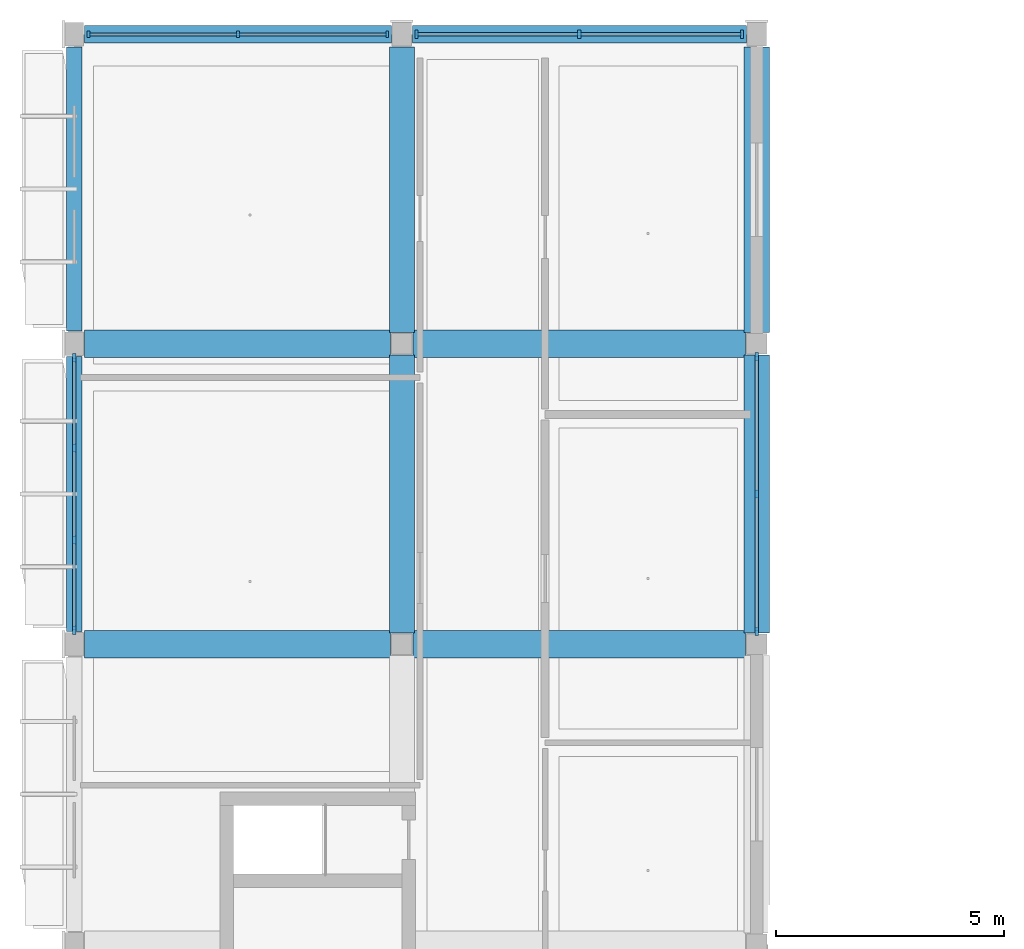
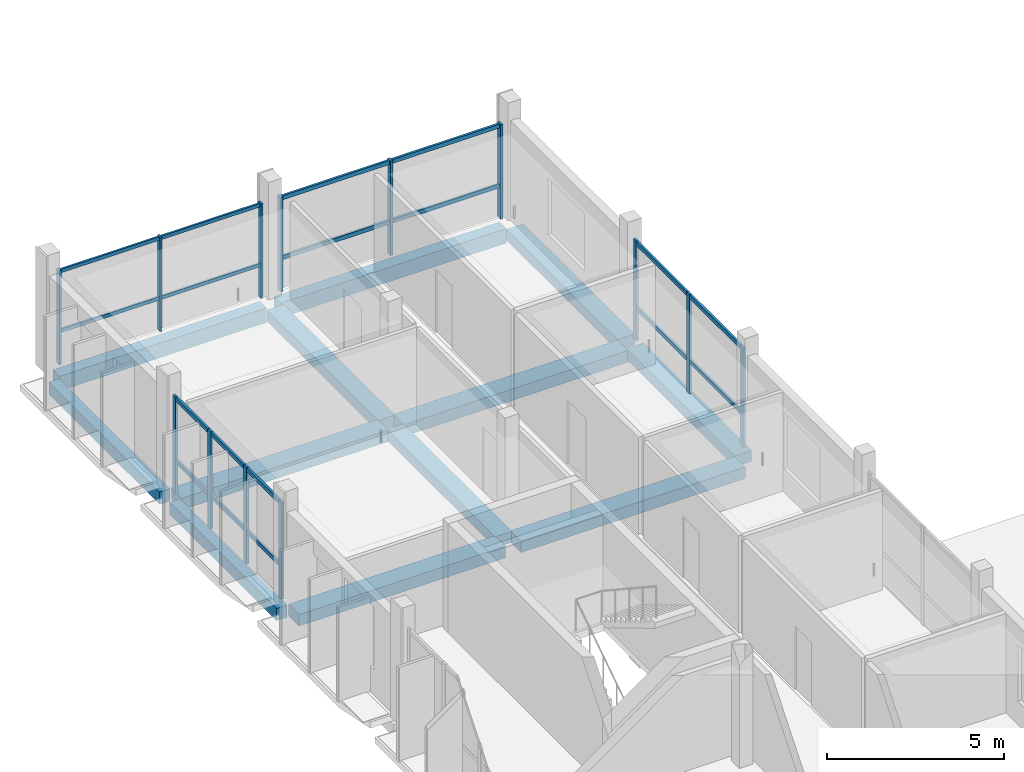
# One storey, part 15 of 86: 21 members, 12 beams, 4 elements without a shape of their own.
"""IFC4 building model written with IfcOpenShell, lengths in metres."""

from ifc_helpers import new_model, si_unit, derived_unit, direction, frame, origin, origin_2d, place, context, subcontext, project, spatial, rectangle, extrude, material, material_profile, profile_set, type_object, element, aggregate, save


model = new_model("IFC4")

# Units and contexts
model_context = context("Model", 3, precision=1e-05, world=origin(), true_north=direction((0.0, 1.0)))
body_context = subcontext(model_context, "Body", "Model", "MODEL_VIEW")
ifc_project = project(units=[si_unit("LENGTHUNIT", "METRE"), si_unit("AREAUNIT", "SQUARE_METRE"), si_unit("VOLUMEUNIT", "CUBIC_METRE"), si_unit("PLANEANGLEUNIT", "RADIAN"), si_unit("MASSUNIT", "GRAM", prefix="KILO"), derived_unit("THERMALTRANSMITTANCEUNIT", [(si_unit("POWERUNIT", "WATT"), 1), (si_unit("LENGTHUNIT", "METRE"), -2), (si_unit("THERMODYNAMICTEMPERATUREUNIT", "KELVIN"), -1)])], contexts=[model_context])

# Site, building, storey
site_placement = place(None, origin())
site = spatial("IfcSite", under=ifc_project, at=site_placement, CompositionType="ELEMENT")
building_placement = place(site_placement, origin())
building = spatial("IfcBuilding", under=site, at=building_placement, Name="Braskholm Square Health Centre", CompositionType="ELEMENT")
storey_placement = place(building_placement, frame((0.0, 0.0, 13.5)))
storey = spatial("IfcBuildingStorey", under=building, at=storey_placement, Name="L04", CompositionType="ELEMENT", Elevation=13.5)

# Curtain wall, members
ifc_material_1 = material(Name="Low-E triple insulating glass (VLT 0.64)", Category="glass")
curtain_wall_type = type_object("IfcCurtainWallType", Name="UnitisedCurtainWall6200x3650", PredefinedType="NOTDEFINED", material=ifc_material_1)
curtain_wall_1_placement = place(storey_placement, origin())
curtain_wall_1 = element("IfcCurtainWall", 1, at=curtain_wall_1_placement, inside=storey, type_object=curtain_wall_type, Name="Wing End unitised curtain wall CW-L04-0156", PredefinedType="NOTDEFINED")
ifc_material_2 = material(Name="Architectural bronze anodised aluminium", Category="aluminium")
ifc_material_profile_1 = material_profile(ifc_material_2, rectangle(XDim=0.06494140625, YDim=0.14990234375, at=origin_2d()), Name="ALU-65X150")
ifc_profile_set_1 = profile_set([ifc_material_profile_1], Name="Architectural bronze anodised aluminium")
member_type_1 = type_object("IfcMemberType", Name="CurtainWallMullion65x150", PredefinedType="MULLION", material=ifc_profile_set_1)
member_1_placement = place(storey_placement, frame((11.080078125, 113.800048828125, 0.0), z_axis=(0.0, 0.0, 1.0), x_axis=(1.0, 0.0, 0.0)))
member_1 = element("IfcMember", 2, at=member_1_placement, type_object=member_type_1, Name="CW-L04-0156 vertical mullion 1", PredefinedType="MULLION", context=body_context, shape_type="SweptSolid", body=[
    extrude(rectangle(XDim=0.06494140625, YDim=0.14990234375, at=origin_2d()), origin(), (0.0, 0.0, 1.0), 3.25),
])
member_2_placement = place(storey_placement, frame((7.800048828125, 113.800048828125, 0.0), z_axis=(0.0, 0.0, 1.0), x_axis=(1.0, 0.0, 0.0)))
member_2 = element("IfcMember", 3, at=member_2_placement, type_object=member_type_1, Name="CW-L04-0156 vertical mullion 2", PredefinedType="MULLION", context=body_context, shape_type="SweptSolid", body=[
    extrude(rectangle(XDim=0.06494140625, YDim=0.14990234375, at=origin_2d()), origin(), (0.0, 0.0, 1.0), 3.25),
])
member_3_placement = place(storey_placement, frame((4.519775390625, 113.800048828125, 0.0), z_axis=(0.0, 0.0, 1.0), x_axis=(1.0, 0.0, 0.0)))
member_3 = element("IfcMember", 4, at=member_3_placement, type_object=member_type_1, Name="CW-L04-0156 vertical mullion 3", PredefinedType="MULLION", context=body_context, shape_type="SweptSolid", body=[
    extrude(rectangle(XDim=0.06494140625, YDim=0.14990234375, at=origin_2d()), origin(), (0.0, 0.0, 1.0), 3.25),
])

curtain_wall_2_placement = place(storey_placement, origin())
curtain_wall_2 = element("IfcCurtainWall", 5, at=curtain_wall_2_placement, inside=storey, type_object=curtain_wall_type, Name="West Outer unitised curtain wall CW-L04-0029", PredefinedType="NOTDEFINED")
ifc_material_profile_2 = material_profile(ifc_material_2, rectangle(XDim=0.074951171875, YDim=0.179931640625, at=origin_2d()), Name="ALU-75X180")
ifc_profile_set_2 = profile_set([ifc_material_profile_2], Name="Architectural bronze anodised aluminium")
member_type_2 = type_object("IfcMemberType", Name="CurtainWallMullion75x180", PredefinedType="MULLION", material=ifc_profile_set_2)
member_4_placement = place(storey_placement, frame((4.199951171875, 106.693603515625, 0.0), z_axis=(0.0, 0.0, 1.0), x_axis=(1.0, 0.0, 0.0)))
member_4 = element("IfcMember", 6, at=member_4_placement, type_object=member_type_2, Name="CW-L04-0029 vertical mullion 1", PredefinedType="MULLION", context=body_context, shape_type="SweptSolid", body=[
    extrude(rectangle(XDim=0.074951171875, YDim=0.179931640625, at=origin_2d()), origin(), (0.0, 0.0, 1.0), 3.330078125),
])
member_5_placement = place(storey_placement, frame((4.199951171875, 104.7099609375, 0.0), z_axis=(0.0, 0.0, 1.0), x_axis=(1.0, 0.0, 0.0)))
member_5 = element("IfcMember", 7, at=member_5_placement, type_object=member_type_2, Name="CW-L04-0029 vertical mullion 2", PredefinedType="MULLION", context=body_context, shape_type="SweptSolid", body=[
    extrude(rectangle(XDim=0.074951171875, YDim=0.179931640625, at=origin_2d()), origin(), (0.0, 0.0, 1.0), 3.330078125),
])
member_6_placement = place(storey_placement, frame((4.199951171875, 102.68994140625, 0.0), z_axis=(0.0, 0.0, 1.0), x_axis=(1.0, 0.0, 0.0)))
member_6 = element("IfcMember", 8, at=member_6_placement, type_object=member_type_2, Name="CW-L04-0029 vertical mullion 3", PredefinedType="MULLION", context=body_context, shape_type="SweptSolid", body=[
    extrude(rectangle(XDim=0.074951171875, YDim=0.179931640625, at=origin_2d()), origin(), (0.0, 0.0, 1.0), 3.330078125),
])
member_7_placement = place(storey_placement, frame((4.199951171875, 100.706298828125, 0.0), z_axis=(0.0, 0.0, 1.0), x_axis=(1.0, 0.0, 0.0)))
member_7 = element("IfcMember", 9, at=member_7_placement, type_object=member_type_2, Name="CW-L04-0029 vertical mullion 4", PredefinedType="MULLION", context=body_context, shape_type="SweptSolid", body=[
    extrude(rectangle(XDim=0.074951171875, YDim=0.179931640625, at=origin_2d()), origin(), (0.0, 0.0, 1.0), 3.330078125),
])

curtain_wall_3_placement = place(storey_placement, origin())
curtain_wall_3 = element("IfcCurtainWall", 10, at=curtain_wall_3_placement, inside=storey, type_object=curtain_wall_type, Name="West Valley unitised curtain wall CW-L04-0101", PredefinedType="NOTDEFINED")
member_8_placement = place(storey_placement, frame((19.199951171875, 100.6767578125, 0.0), z_axis=(0.0, 0.0, 1.0), x_axis=(1.0, 0.0, 0.0)))
member_8 = element("IfcMember", 11, at=member_8_placement, type_object=member_type_2, Name="CW-L04-0101 vertical mullion 1", PredefinedType="MULLION", context=body_context, shape_type="SweptSolid", body=[
    extrude(rectangle(XDim=0.074951171875, YDim=0.179931640625, at=origin_2d()), origin(), (0.0, 0.0, 1.0), 3.419921875),
])
member_9_placement = place(storey_placement, frame((19.199951171875, 103.699951171875, 0.0), z_axis=(0.0, 0.0, 1.0), x_axis=(1.0, 0.0, 0.0)))
member_9 = element("IfcMember", 12, at=member_9_placement, type_object=member_type_2, Name="CW-L04-0101 vertical mullion 2", PredefinedType="MULLION", context=body_context, shape_type="SweptSolid", body=[
    extrude(rectangle(XDim=0.074951171875, YDim=0.179931640625, at=origin_2d()), origin(), (0.0, 0.0, 1.0), 3.419921875),
])
member_10_placement = place(storey_placement, frame((19.199951171875, 106.723388671875, 0.0), z_axis=(0.0, 0.0, 1.0), x_axis=(1.0, 0.0, 0.0)))
member_10 = element("IfcMember", 13, at=member_10_placement, type_object=member_type_2, Name="CW-L04-0101 vertical mullion 3", PredefinedType="MULLION", context=body_context, shape_type="SweptSolid", body=[
    extrude(rectangle(XDim=0.074951171875, YDim=0.179931640625, at=origin_2d()), origin(), (0.0, 0.0, 1.0), 3.419921875),
])

curtain_wall_4_placement = place(storey_placement, origin())
curtain_wall_4 = element("IfcCurtainWall", 14, at=curtain_wall_4_placement, inside=storey, type_object=curtain_wall_type, Name="Wing End unitised curtain wall CW-L04-0155", PredefinedType="NOTDEFINED")
member_11_placement = place(storey_placement, frame((18.876708984375, 113.800048828125, 0.0), z_axis=(0.0, 0.0, 1.0), x_axis=(1.0, 0.0, 0.0)))
member_11 = element("IfcMember", 15, at=member_11_placement, type_object=member_type_2, Name="CW-L04-0155 vertical mullion 1", PredefinedType="MULLION", context=body_context, shape_type="SweptSolid", body=[
    extrude(rectangle(XDim=0.074951171875, YDim=0.179931640625, at=origin_2d()), origin(), (0.0, 0.0, 1.0), 3.25),
])
member_12_placement = place(storey_placement, frame((15.300048828125, 113.800048828125, 0.0), z_axis=(0.0, 0.0, 1.0), x_axis=(1.0, 0.0, 0.0)))
member_12 = element("IfcMember", 16, at=member_12_placement, type_object=member_type_2, Name="CW-L04-0155 vertical mullion 2", PredefinedType="MULLION", context=body_context, shape_type="SweptSolid", body=[
    extrude(rectangle(XDim=0.074951171875, YDim=0.179931640625, at=origin_2d()), origin(), (0.0, 0.0, 1.0), 3.25),
])
member_13_placement = place(storey_placement, frame((11.723388671875, 113.800048828125, 0.0), z_axis=(0.0, 0.0, 1.0), x_axis=(1.0, 0.0, 0.0)))
member_13 = element("IfcMember", 17, at=member_13_placement, type_object=member_type_2, Name="CW-L04-0155 vertical mullion 3", PredefinedType="MULLION", context=body_context, shape_type="SweptSolid", body=[
    extrude(rectangle(XDim=0.074951171875, YDim=0.179931640625, at=origin_2d()), origin(), (0.0, 0.0, 1.0), 3.25),
])

# Member
ifc_material_profile_3 = material_profile(ifc_material_2, rectangle(XDim=0.06494140625, YDim=0.1201171875, at=origin_2d()), Name="ALU-65X120")
ifc_profile_set_3 = profile_set([ifc_material_profile_3], Name="Architectural bronze anodised aluminium")
member_type_3 = type_object("IfcMemberType", Name="CurtainWallTransom65x120", PredefinedType="USERDEFINED", material=ifc_profile_set_3)
member_14_placement = place(storey_placement, frame((11.074951171875, 113.800048828125, 1.1201171875), z_axis=(-1.0, 0.0, 0.0), x_axis=(0.0, -1.0, 0.0)))
member_14 = element("IfcMember", 18, at=member_14_placement, type_object=member_type_3, Name="CW-L04-0156 horizontal transom 1", ObjectType="TRANSOM", PredefinedType="USERDEFINED", context=body_context, shape_type="SweptSolid", body=[
    extrude(rectangle(XDim=0.06494140625, YDim=0.1201171875, at=origin_2d()), origin(), (0.0, 0.0, 1.0), 6.550048828125),
])

member_15_placement = place(storey_placement, frame((11.074951171875, 113.800048828125, 3.179931640625), z_axis=(-1.0, 0.0, 0.0), x_axis=(0.0, -1.0, 0.0)))
member_15 = element("IfcMember", 19, at=member_15_placement, type_object=member_type_3, Name="CW-L04-0156 horizontal transom 2", ObjectType="TRANSOM", PredefinedType="USERDEFINED", context=body_context, shape_type="SweptSolid", body=[
    extrude(rectangle(XDim=0.06494140625, YDim=0.1201171875, at=origin_2d()), origin(), (0.0, 0.0, 1.0), 6.550048828125),
])

aggregate(curtain_wall_1, [member_1, member_2, member_3, member_14, member_15])

ifc_material_profile_4 = material_profile(ifc_material_2, rectangle(XDim=0.074951171875, YDim=0.139892578125, at=origin_2d()), Name="ALU-75X140")
ifc_profile_set_4 = profile_set([ifc_material_profile_4], Name="Architectural bronze anodised aluminium")
member_type_4 = type_object("IfcMemberType", Name="CurtainWallTransom75x140", PredefinedType="USERDEFINED", material=ifc_profile_set_4)
member_16_placement = place(storey_placement, frame((4.199951171875, 106.68505859375, 1.1201171875), z_axis=(0.0, -1.0, 0.0), x_axis=(1.0, 0.0, 0.0)))
member_16 = element("IfcMember", 20, at=member_16_placement, type_object=member_type_4, Name="CW-L04-0029 horizontal transom 1", ObjectType="TRANSOM", PredefinedType="USERDEFINED", context=body_context, shape_type="SweptSolid", body=[
    extrude(rectangle(XDim=0.074951171875, YDim=0.139892578125, at=origin_2d()), origin(), (0.0, 0.0, 1.0), 5.969970703125),
])

member_17_placement = place(storey_placement, frame((4.199951171875, 106.68505859375, 3.260009765625), z_axis=(0.0, -1.0, 0.0), x_axis=(1.0, 0.0, 0.0)))
member_17 = element("IfcMember", 21, at=member_17_placement, type_object=member_type_4, Name="CW-L04-0029 horizontal transom 2", ObjectType="TRANSOM", PredefinedType="USERDEFINED", context=body_context, shape_type="SweptSolid", body=[
    extrude(rectangle(XDim=0.074951171875, YDim=0.139892578125, at=origin_2d()), origin(), (0.0, 0.0, 1.0), 5.969970703125),
])

aggregate(curtain_wall_2, [member_4, member_5, member_6, member_7, member_16, member_17])

member_18_placement = place(storey_placement, frame((19.199951171875, 100.68505859375, 1.1201171875), z_axis=(0.0, 1.0, 0.0), x_axis=(-1.0, 0.0, 0.0)))
member_18 = element("IfcMember", 22, at=member_18_placement, type_object=member_type_4, Name="CW-L04-0101 horizontal transom 1", ObjectType="TRANSOM", PredefinedType="USERDEFINED", context=body_context, shape_type="SweptSolid", body=[
    extrude(rectangle(XDim=0.074951171875, YDim=0.139892578125, at=origin_2d()), origin(), (0.0, 0.0, 1.0), 6.030029296875),
])

member_19_placement = place(storey_placement, frame((19.199951171875, 100.68505859375, 3.35009765625), z_axis=(0.0, 1.0, 0.0), x_axis=(-1.0, 0.0, 0.0)))
member_19 = element("IfcMember", 23, at=member_19_placement, type_object=member_type_4, Name="CW-L04-0101 horizontal transom 2", ObjectType="TRANSOM", PredefinedType="USERDEFINED", context=body_context, shape_type="SweptSolid", body=[
    extrude(rectangle(XDim=0.074951171875, YDim=0.139892578125, at=origin_2d()), origin(), (0.0, 0.0, 1.0), 6.030029296875),
])

aggregate(curtain_wall_3, [member_8, member_9, member_10, member_18, member_19])

member_20_placement = place(storey_placement, frame((18.875, 113.800048828125, 1.1201171875), z_axis=(-1.0, 0.0, 0.0), x_axis=(0.0, -1.0, 0.0)))
member_20 = element("IfcMember", 24, at=member_20_placement, type_object=member_type_4, Name="CW-L04-0155 horizontal transom 1", ObjectType="TRANSOM", PredefinedType="USERDEFINED", context=body_context, shape_type="SweptSolid", body=[
    extrude(rectangle(XDim=0.074951171875, YDim=0.139892578125, at=origin_2d()), origin(), (0.0, 0.0, 1.0), 7.14990234375),
])

member_21_placement = place(storey_placement, frame((18.875, 113.800048828125, 3.179931640625), z_axis=(-1.0, 0.0, 0.0), x_axis=(0.0, -1.0, 0.0)))
member_21 = element("IfcMember", 25, at=member_21_placement, type_object=member_type_4, Name="CW-L04-0155 horizontal transom 2", ObjectType="TRANSOM", PredefinedType="USERDEFINED", context=body_context, shape_type="SweptSolid", body=[
    extrude(rectangle(XDim=0.074951171875, YDim=0.139892578125, at=origin_2d()), origin(), (0.0, 0.0, 1.0), 7.14990234375),
])

aggregate(curtain_wall_4, [member_11, member_12, member_13, member_20, member_21])

# Beams
ifc_material_3 = material(Name="Concrete C35/45 (f'c = 35 MPa)", Category="concrete")
ifc_material_profile_5 = material_profile(ifc_material_3, rectangle(XDim=0.550048828125, YDim=0.3798828125, at=origin_2d()), Name="RCB-550X380")
ifc_profile_set_5 = profile_set([ifc_material_profile_5], Name="Concrete C35/45 (f'c = 35 MPa)")
beam_type_1 = type_object("IfcBeamType", Name="PrimaryBandBeam550x380", PredefinedType="BEAM", material=ifc_profile_set_5)
beam_1_placement = place(storey_placement, frame((11.39990234375, 100.64990234375, -0.489990234375), z_axis=(0.0, 1.0, 0.0), x_axis=(-1.0, 0.0, 0.0)))
element("IfcBeam", 26, at=beam_1_placement, inside=storey, type_object=beam_type_1, Name="Beam 2/Q-R L04", PredefinedType="BEAM", context=body_context, shape_type="SweptSolid", body=[
    extrude(rectangle(XDim=0.550048828125, YDim=0.3798828125, at=origin_2d()), origin(), (0.0, 0.0, 1.0), 6.10009765625),
])
beam_2_placement = place(storey_placement, frame((11.39990234375, 107.25, -0.489990234375), z_axis=(0.0, 1.0, 0.0), x_axis=(-1.0, 0.0, 0.0)))
element("IfcBeam", 27, at=beam_2_placement, inside=storey, type_object=beam_type_1, Name="Beam 2/R-S L04", PredefinedType="BEAM", context=body_context, shape_type="SweptSolid", body=[
    extrude(rectangle(XDim=0.550048828125, YDim=0.3798828125, at=origin_2d()), origin(), (0.0, 0.0, 1.0), 6.27001953125),
])
beam_3_placement = place(storey_placement, frame((19.199951171875, 100.64990234375, -0.43994140625), z_axis=(0.0, 1.0, 0.0), x_axis=(-1.0, 0.0, 0.0)))
element("IfcBeam", 28, at=beam_3_placement, inside=storey, type_object=beam_type_1, Name="Beam 3/Q-R L04", PredefinedType="BEAM", context=body_context, shape_type="SweptSolid", body=[
    extrude(rectangle(XDim=0.550048828125, YDim=0.3798828125, at=origin_2d()), origin(), (0.0, 0.0, 1.0), 6.10009765625),
])
beam_4_placement = place(storey_placement, frame((19.199951171875, 107.25, -0.43994140625), z_axis=(0.0, 1.0, 0.0), x_axis=(-1.0, 0.0, 0.0)))
element("IfcBeam", 29, at=beam_4_placement, inside=storey, type_object=beam_type_1, Name="Beam 3/R-S L04", PredefinedType="BEAM", context=body_context, shape_type="SweptSolid", body=[
    extrude(rectangle(XDim=0.550048828125, YDim=0.3798828125, at=origin_2d()), origin(), (0.0, 0.0, 1.0), 6.27001953125),
])
ifc_material_profile_6 = material_profile(ifc_material_3, rectangle(XDim=0.60009765625, YDim=0.39990234375, at=origin_2d()), Name="RCB-600X400")
ifc_profile_set_6 = profile_set([ifc_material_profile_6], Name="Concrete C35/45 (f'c = 35 MPa)")
beam_type_2 = type_object("IfcBeamType", Name="PrimaryBandBeam600x400", PredefinedType="BEAM", material=ifc_profile_set_6)
beam_5_placement = place(storey_placement, frame((4.429931640625, 100.39990234375, -0.5), z_axis=(1.0, 0.0, 0.0), x_axis=(0.0, 1.0, 0.0)))
element("IfcBeam", 30, at=beam_5_placement, inside=storey, type_object=beam_type_2, Name="Beam 1-2/Q L04", PredefinedType="BEAM", context=body_context, shape_type="SweptSolid", body=[
    extrude(rectangle(XDim=0.60009765625, YDim=0.39990234375, at=origin_2d()), origin(), (0.0, 0.0, 1.0), 6.719970703125),
])
beam_6_placement = place(storey_placement, frame((11.64990234375, 100.39990234375, -0.5), z_axis=(1.0, 0.0, 0.0), x_axis=(0.0, 1.0, 0.0)))
element("IfcBeam", 31, at=beam_6_placement, inside=storey, type_object=beam_type_2, Name="Beam 2-3/Q L04", PredefinedType="BEAM", context=body_context, shape_type="SweptSolid", body=[
    extrude(rectangle(XDim=0.60009765625, YDim=0.39990234375, at=origin_2d()), origin(), (0.0, 0.0, 1.0), 7.300048828125),
])
beam_7_placement = place(storey_placement, frame((4.429931640625, 107.0, -0.5), z_axis=(1.0, 0.0, 0.0), x_axis=(0.0, 1.0, 0.0)))
element("IfcBeam", 32, at=beam_7_placement, inside=storey, type_object=beam_type_2, Name="Beam 1-2/R L04", PredefinedType="BEAM", context=body_context, shape_type="SweptSolid", body=[
    extrude(rectangle(XDim=0.60009765625, YDim=0.39990234375, at=origin_2d()), origin(), (0.0, 0.0, 1.0), 6.719970703125),
])
beam_8_placement = place(storey_placement, frame((11.64990234375, 107.0, -0.5), z_axis=(1.0, 0.0, 0.0), x_axis=(0.0, 1.0, 0.0)))
element("IfcBeam", 33, at=beam_8_placement, inside=storey, type_object=beam_type_2, Name="Beam 2-3/R L04", PredefinedType="BEAM", context=body_context, shape_type="SweptSolid", body=[
    extrude(rectangle(XDim=0.60009765625, YDim=0.39990234375, at=origin_2d()), origin(), (0.0, 0.0, 1.0), 7.300048828125),
])
ifc_material_4 = material(Name="Precast concrete C40/50 architectural white", Category="concrete")
ifc_material_profile_7 = material_profile(ifc_material_4, rectangle(XDim=0.340087890625, YDim=0.419921875, at=origin_2d()), Name="RCB-340X420")
ifc_profile_set_7 = profile_set([ifc_material_profile_7], Name="Precast concrete C40/50 architectural white")
beam_type_3 = type_object("IfcBeamType", Name="SpandrelCrownEdge340x420", PredefinedType="SPANDREL", material=ifc_profile_set_7)
beam_9_placement = place(storey_placement, frame((4.199951171875, 100.679931640625, -0.510009765625), z_axis=(0.0, 1.0, 0.0), x_axis=(-1.0, 0.0, 0.0)))
element("IfcBeam", 34, at=beam_9_placement, inside=storey, type_object=beam_type_3, Name="Beam 1/Q-R L04", PredefinedType="SPANDREL", context=body_context, shape_type="SweptSolid", body=[
    extrude(rectangle(XDim=0.340087890625, YDim=0.419921875, at=origin_2d()), origin(), (0.0, 0.0, 1.0), 6.0400390625),
])
beam_10_placement = place(storey_placement, frame((4.199951171875, 107.280029296875, -0.510009765625), z_axis=(0.0, 1.0, 0.0), x_axis=(-1.0, 0.0, 0.0)))
element("IfcBeam", 35, at=beam_10_placement, inside=storey, type_object=beam_type_3, Name="Beam 1/R-S L04", PredefinedType="SPANDREL", context=body_context, shape_type="SweptSolid", body=[
    extrude(rectangle(XDim=0.340087890625, YDim=0.419921875, at=origin_2d()), origin(), (0.0, 0.0, 1.0), 6.239990234375),
])
ifc_material_profile_8 = material_profile(ifc_material_4, rectangle(XDim=0.3798828125, YDim=0.5, at=origin_2d()), Name="RCB-380X500")
ifc_profile_set_8 = profile_set([ifc_material_profile_8], Name="Precast concrete C40/50 architectural white")
beam_type_4 = type_object("IfcBeamType", Name="SpandrelPrecastEdge380x500", PredefinedType="SPANDREL", material=ifc_profile_set_8)
beam_11_placement = place(storey_placement, frame((4.429931640625, 113.800048828125, -0.550048828125), z_axis=(1.0, 0.0, 0.0), x_axis=(0.0, 1.0, 0.0)))
element("IfcBeam", 36, at=beam_11_placement, inside=storey, type_object=beam_type_4, Name="Beam 1-2/S L04", PredefinedType="SPANDREL", context=body_context, shape_type="SweptSolid", body=[
    extrude(rectangle(XDim=0.3798828125, YDim=0.5, at=origin_2d()), origin(), (0.0, 0.0, 1.0), 6.739990234375),
])
beam_12_placement = place(storey_placement, frame((11.6298828125, 113.800048828125, -0.550048828125), z_axis=(1.0, 0.0, 0.0), x_axis=(0.0, 1.0, 0.0)))
element("IfcBeam", 37, at=beam_12_placement, inside=storey, type_object=beam_type_4, Name="Beam 2-3/S L04", PredefinedType="SPANDREL", context=body_context, shape_type="SweptSolid", body=[
    extrude(rectangle(XDim=0.3798828125, YDim=0.5, at=origin_2d()), origin(), (0.0, 0.0, 1.0), 7.340087890625),
])

save(model, "model.ifc")
